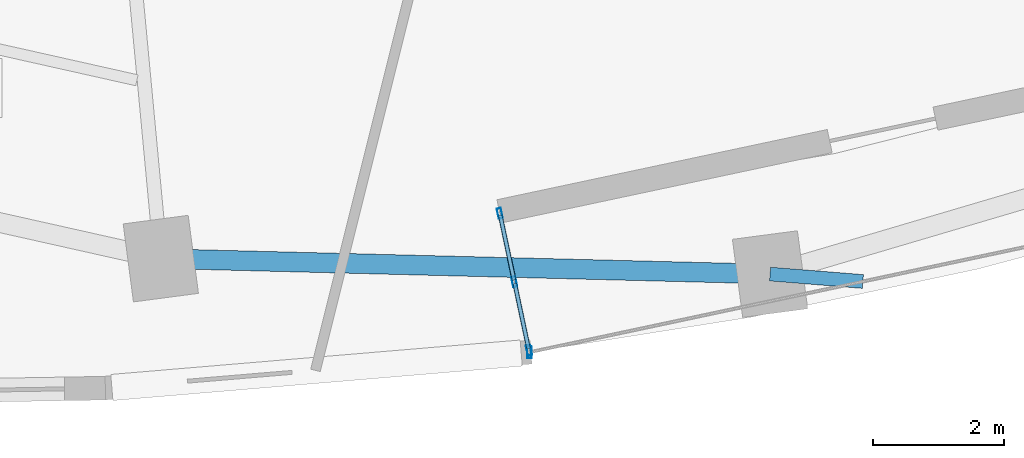
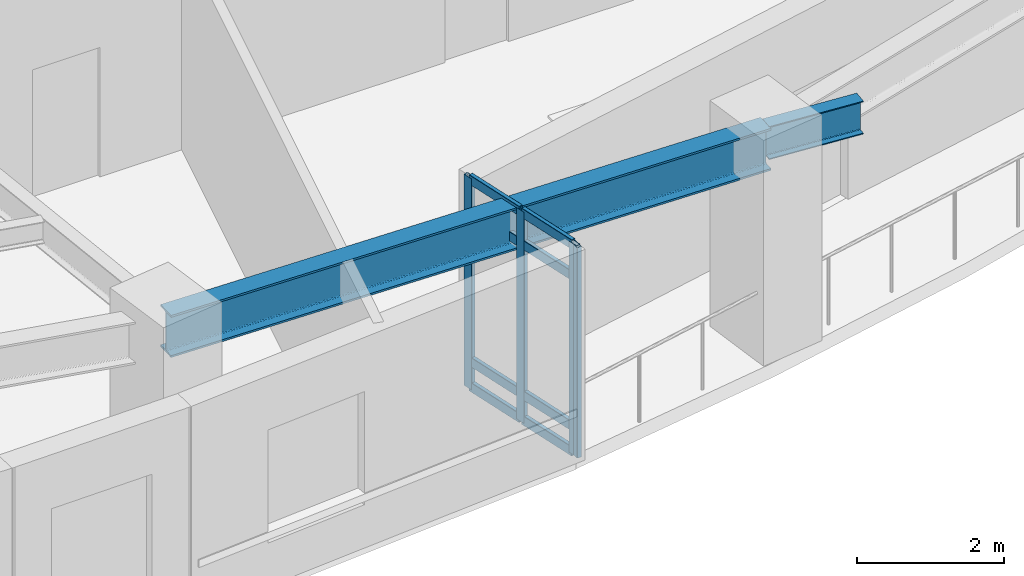
# One storey, part 2 of 12: 12 members, 2 beams, 1 element without a shape of its own.
"""IFC4 building model written with IfcOpenShell, lengths in metres."""

from ifc_helpers import new_model, si_unit, direction, frame, origin, origin_2d, place, context, subcontext, project, spatial, hollow_rectangle, i_section, extrude, material, layer, layer_set, material_profile, profile_set, type_object, element, aggregate, save


model = new_model("IFC4")

# Units and contexts
model_context = context("Model", 3, precision=1e-05, world=origin(), true_north=direction((0.0, 1.0)))
body_context = subcontext(model_context, "Body", "Model", "MODEL_VIEW")
ifc_project = project(units=[si_unit("LENGTHUNIT", "METRE"), si_unit("AREAUNIT", "SQUARE_METRE"), si_unit("VOLUMEUNIT", "CUBIC_METRE"), si_unit("PLANEANGLEUNIT", "RADIAN"), si_unit("MASSUNIT", "GRAM", prefix="KILO")], contexts=[model_context])

# Site, building, storey
site_placement = place(None, origin())
site = spatial("IfcSite", under=ifc_project, at=site_placement, CompositionType="ELEMENT")
building_placement = place(site_placement, origin())
building = spatial("IfcBuilding", under=site, at=building_placement, Name="Ndelora Gate Hotel", CompositionType="ELEMENT")
storey_placement = place(building_placement, frame((0.0, 0.0, 75.5)))
storey = spatial("IfcBuildingStorey", under=building, at=storey_placement, Name="L18", CompositionType="ELEMENT", Elevation=75.5)

# Beams
ifc_material_1 = material(Name="Steel S355", Category="steel")
ifc_material_profile_1 = material_profile(ifc_material_1, i_section(OverallWidth=0.2099609375, OverallDepth=0.550048828125, WebThickness=0.010986328125, FlangeThickness=0.01708984375, FilletRadius=0.02392578125, at=origin_2d()), Name="IPE 550")
ifc_profile_set_1 = profile_set([ifc_material_profile_1], Name="Steel S355")
beam_type_1 = type_object("IfcBeamType", Name="BM-RAD-550", PredefinedType="BEAM", material=ifc_profile_set_1)
beam_1_placement = place(storey_placement, frame((2.2646484375, -17.20166015625, 3.22509765625), z_axis=(0.996814185316, -0.079758886357, 0.0), x_axis=(0.079758886357, 0.996814185316, 0.0)))
element("IfcBeam", 1, at=beam_1_placement, inside=storey, type_object=beam_type_1, Name="L18 Sky-Garden Loggia Column Bracket 2", PredefinedType="BEAM", context=body_context, shape_type="SweptSolid", body=[
    extrude(i_section(OverallWidth=0.2099609375, OverallDepth=0.550048828125, WebThickness=0.010986328125, FlangeThickness=0.01708984375, FilletRadius=0.02392578125, at=origin_2d()), origin(), (0.0, 0.0, 1.0), 1.42041015625),
])
ifc_material_profile_2 = material_profile(ifc_material_1, i_section(OverallWidth=0.300048828125, OverallDepth=0.699951171875, WebThickness=0.01708984375, FlangeThickness=0.031982421875, FilletRadius=0.027099609375, at=origin_2d()), Name="HEB 700")
ifc_profile_set_2 = profile_set([ifc_material_profile_2], Name="Steel S355")
beam_type_2 = type_object("IfcBeamType", Name="BM-RING-700", PredefinedType="SPANDREL", material=ifc_profile_set_2)
beam_2_placement = place(storey_placement, frame((-7.027587890625, -16.96630859375, 3.14990234375), z_axis=(0.999679406439, -0.025319643409, 0.0), x_axis=(0.025319643409, 0.999679406439, 0.0)))
element("IfcBeam", 2, at=beam_2_placement, inside=storey, type_object=beam_type_2, Name="L18 Perimeter Spandrel Girder 6", PredefinedType="SPANDREL", context=body_context, shape_type="SweptSolid", body=[
    extrude(i_section(OverallWidth=0.300048828125, OverallDepth=0.699951171875, WebThickness=0.01708984375, FlangeThickness=0.031982421875, FilletRadius=0.027099609375, at=origin_2d()), origin(), (0.0, 0.0, 1.0), 9.295166015625),
])

# Curtain wall, members
ifc_material_2 = material(Name="Bronze Anodised Unitised Aluminium and Low-E Glass", Category="aluminium")
ifc_layer = layer(ifc_material_2, 0.199951171875)
ifc_layer_set = layer_set([ifc_layer], Name="Bronze Anodised Unitised Aluminium and Low-E Glass")
curtain_wall_type = type_object("IfcCurtainWallType", Name="CW-SYS-3", PredefinedType="NOTDEFINED", material=ifc_layer_set)
curtain_wall_placement = place(storey_placement, origin())
curtain_wall = element("IfcCurtainWall", 3, at=curtain_wall_placement, inside=storey, type_object=curtain_wall_type, Name="L18 Sky-Garden Loggia Side Curtain Wall CW3-1", PredefinedType="NOTDEFINED")
ifc_material_3 = material(Name="Bronze Anodised Aluminium 6063-T6", Category="aluminium")
ifc_material_profile_3 = material_profile(ifc_material_3, hollow_rectangle(XDim=0.06494140625, YDim=0.159912109375, WallThickness=0.00390625, InnerFilletRadius=0.00390625, OuterFilletRadius=0.008056640625, at=origin_2d()), Name="ALU 160x65x4")
ifc_profile_set_3 = profile_set([ifc_material_profile_3], Name="Bronze Anodised Aluminium 6063-T6")
member_type_1 = type_object("IfcMemberType", Name="MB-CW-MUL150", PredefinedType="MULLION", material=ifc_profile_set_3)
member_1_placement = place(storey_placement, frame((-1.856689453125, -16.27587890625, -0.00390625), z_axis=(0.0, 0.0, 1.0), x_axis=(0.978147643724, 0.207911488567, 0.0)))
member_1 = element("IfcMember", 4, at=member_1_placement, type_object=member_type_1, Name="CW3 mullion 1", PredefinedType="MULLION", context=body_context, shape_type="SweptSolid", body=[
    extrude(hollow_rectangle(XDim=0.06494140625, YDim=0.159912109375, WallThickness=0.00390625, InnerFilletRadius=0.00390625, OuterFilletRadius=0.008056640625, at=origin_2d()), origin(), (0.0, 0.0, 1.0), 3.5078125),
])
member_2_placement = place(storey_placement, frame((-1.634765625, -17.320068359375, -0.00390625), z_axis=(0.0, 0.0, 1.0), x_axis=(0.978147643724, 0.207911488567, 0.0)))
member_2 = element("IfcMember", 5, at=member_2_placement, type_object=member_type_1, Name="CW3 mullion 2", PredefinedType="MULLION", context=body_context, shape_type="SweptSolid", body=[
    extrude(hollow_rectangle(XDim=0.06494140625, YDim=0.159912109375, WallThickness=0.00390625, InnerFilletRadius=0.00390625, OuterFilletRadius=0.008056640625, at=origin_2d()), origin(), (0.0, 0.0, 1.0), 3.5078125),
])
member_3_placement = place(storey_placement, frame((-1.412841796875, -18.3642578125, -0.00390625), z_axis=(0.0, 0.0, 1.0), x_axis=(0.978147643724, 0.207911488567, 0.0)))
member_3 = element("IfcMember", 6, at=member_3_placement, type_object=member_type_1, Name="CW3 mullion 3", PredefinedType="MULLION", context=body_context, shape_type="SweptSolid", body=[
    extrude(hollow_rectangle(XDim=0.06494140625, YDim=0.159912109375, WallThickness=0.00390625, InnerFilletRadius=0.00390625, OuterFilletRadius=0.008056640625, at=origin_2d()), origin(), (0.0, 0.0, 1.0), 3.5078125),
])
ifc_material_profile_4 = material_profile(ifc_material_3, hollow_rectangle(XDim=0.070068359375, YDim=0.179931640625, WallThickness=0.0048828125, InnerFilletRadius=0.0048828125, OuterFilletRadius=0.010009765625, at=origin_2d()), Name="ALU 180x70x5")
ifc_profile_set_4 = profile_set([ifc_material_profile_4], Name="Bronze Anodised Aluminium 6063-T6")
member_type_2 = type_object("IfcMemberType", Name="MB-CW-MUL180", PredefinedType="MULLION", material=ifc_profile_set_4)
member_4_placement = place(storey_placement, frame((-1.406005859375, -18.39599609375, 0.0), z_axis=(0.0, 0.0, 1.0), x_axis=(1.0, 0.0, 0.0)))
member_4 = element("IfcMember", 7, at=member_4_placement, type_object=member_type_2, Name="L18 Sky-Garden Loggia Corner Mullion Post 1", PredefinedType="MULLION", context=body_context, shape_type="SweptSolid", body=[
    extrude(hollow_rectangle(XDim=0.070068359375, YDim=0.179931640625, WallThickness=0.0048828125, InnerFilletRadius=0.0048828125, OuterFilletRadius=0.010009765625, at=origin_2d()), origin(), (0.0, 0.0, 1.0), 3.5),
])
ifc_material_profile_5 = material_profile(ifc_material_3, hollow_rectangle(XDim=0.06494140625, YDim=0.159912109375, WallThickness=0.00390625, InnerFilletRadius=0.00390625, OuterFilletRadius=0.008056640625, at=origin_2d()), Name="ALU 160x65x4")
ifc_profile_set_5 = profile_set([ifc_material_profile_5], Name="Bronze Anodised Aluminium 6063-T6")
member_type_3 = type_object("IfcMemberType", Name="MB-CW-TRN150", PredefinedType="USERDEFINED", material=ifc_profile_set_5)
member_5_placement = place(storey_placement, frame((-1.85107421875, -16.302001953125, 0.032470703125), z_axis=(0.207950868925, -0.97813927235, 0.0), x_axis=(0.97813927235, 0.207950868925, 0.0)))
member_5 = element("IfcMember", 8, at=member_5_placement, type_object=member_type_3, Name="CW3 transom 1.1", ObjectType="TRANSOM", PredefinedType="USERDEFINED", context=body_context, shape_type="SweptSolid", body=[
    extrude(hollow_rectangle(XDim=0.06494140625, YDim=0.159912109375, WallThickness=0.00390625, InnerFilletRadius=0.00390625, OuterFilletRadius=0.008056640625, at=origin_2d()), origin(), (0.0, 0.0, 1.0), 1.014404296875),
])
member_6_placement = place(storey_placement, frame((-1.85107421875, -16.302001953125, 0.449951171875), z_axis=(0.207950868925, -0.97813927235, 0.0), x_axis=(0.97813927235, 0.207950868925, 0.0)))
member_6 = element("IfcMember", 9, at=member_6_placement, type_object=member_type_3, Name="CW3 transom 1.2", ObjectType="TRANSOM", PredefinedType="USERDEFINED", context=body_context, shape_type="SweptSolid", body=[
    extrude(hollow_rectangle(XDim=0.06494140625, YDim=0.159912109375, WallThickness=0.00390625, InnerFilletRadius=0.00390625, OuterFilletRadius=0.008056640625, at=origin_2d()), origin(), (0.0, 0.0, 1.0), 1.014404296875),
])
member_7_placement = place(storey_placement, frame((-1.85107421875, -16.302001953125, 2.949951171875), z_axis=(0.207950868925, -0.97813927235, 0.0), x_axis=(0.97813927235, 0.207950868925, 0.0)))
member_7 = element("IfcMember", 10, at=member_7_placement, type_object=member_type_3, Name="CW3 transom 1.3", ObjectType="TRANSOM", PredefinedType="USERDEFINED", context=body_context, shape_type="SweptSolid", body=[
    extrude(hollow_rectangle(XDim=0.06494140625, YDim=0.159912109375, WallThickness=0.00390625, InnerFilletRadius=0.00390625, OuterFilletRadius=0.008056640625, at=origin_2d()), origin(), (0.0, 0.0, 1.0), 1.014404296875),
])
member_8_placement = place(storey_placement, frame((-1.85107421875, -16.302001953125, 3.467529296875), z_axis=(0.207950868925, -0.97813927235, 0.0), x_axis=(0.97813927235, 0.207950868925, 0.0)))
member_8 = element("IfcMember", 11, at=member_8_placement, type_object=member_type_3, Name="CW3 transom 1.4", ObjectType="TRANSOM", PredefinedType="USERDEFINED", context=body_context, shape_type="SweptSolid", body=[
    extrude(hollow_rectangle(XDim=0.06494140625, YDim=0.159912109375, WallThickness=0.00390625, InnerFilletRadius=0.00390625, OuterFilletRadius=0.008056640625, at=origin_2d()), origin(), (0.0, 0.0, 1.0), 1.014404296875),
])
member_9_placement = place(storey_placement, frame((-1.629150390625, -17.34619140625, 0.032470703125), z_axis=(0.207950868925, -0.97813927235, 0.0), x_axis=(0.97813927235, 0.207950868925, 0.0)))
member_9 = element("IfcMember", 12, at=member_9_placement, type_object=member_type_3, Name="CW3 transom 2.1", ObjectType="TRANSOM", PredefinedType="USERDEFINED", context=body_context, shape_type="SweptSolid", body=[
    extrude(hollow_rectangle(XDim=0.06494140625, YDim=0.159912109375, WallThickness=0.00390625, InnerFilletRadius=0.00390625, OuterFilletRadius=0.008056640625, at=origin_2d()), origin(), (0.0, 0.0, 1.0), 1.014404296875),
])
member_10_placement = place(storey_placement, frame((-1.629150390625, -17.34619140625, 0.449951171875), z_axis=(0.207950868925, -0.97813927235, 0.0), x_axis=(0.97813927235, 0.207950868925, 0.0)))
member_10 = element("IfcMember", 13, at=member_10_placement, type_object=member_type_3, Name="CW3 transom 2.2", ObjectType="TRANSOM", PredefinedType="USERDEFINED", context=body_context, shape_type="SweptSolid", body=[
    extrude(hollow_rectangle(XDim=0.06494140625, YDim=0.159912109375, WallThickness=0.00390625, InnerFilletRadius=0.00390625, OuterFilletRadius=0.008056640625, at=origin_2d()), origin(), (0.0, 0.0, 1.0), 1.014404296875),
])
member_11_placement = place(storey_placement, frame((-1.629150390625, -17.34619140625, 2.949951171875), z_axis=(0.207950868925, -0.97813927235, 0.0), x_axis=(0.97813927235, 0.207950868925, 0.0)))
member_11 = element("IfcMember", 14, at=member_11_placement, type_object=member_type_3, Name="CW3 transom 2.3", ObjectType="TRANSOM", PredefinedType="USERDEFINED", context=body_context, shape_type="SweptSolid", body=[
    extrude(hollow_rectangle(XDim=0.06494140625, YDim=0.159912109375, WallThickness=0.00390625, InnerFilletRadius=0.00390625, OuterFilletRadius=0.008056640625, at=origin_2d()), origin(), (0.0, 0.0, 1.0), 1.014404296875),
])
member_12_placement = place(storey_placement, frame((-1.629150390625, -17.34619140625, 3.467529296875), z_axis=(0.207950868925, -0.97813927235, 0.0), x_axis=(0.97813927235, 0.207950868925, 0.0)))
member_12 = element("IfcMember", 15, at=member_12_placement, type_object=member_type_3, Name="CW3 transom 2.4", ObjectType="TRANSOM", PredefinedType="USERDEFINED", context=body_context, shape_type="SweptSolid", body=[
    extrude(hollow_rectangle(XDim=0.06494140625, YDim=0.159912109375, WallThickness=0.00390625, InnerFilletRadius=0.00390625, OuterFilletRadius=0.008056640625, at=origin_2d()), origin(), (0.0, 0.0, 1.0), 1.014404296875),
])
aggregate(curtain_wall, [member_1, member_2, member_3, member_5, member_6, member_7, member_8, member_9, member_10, member_11, member_12, member_4])

save(model, "model.ifc")
